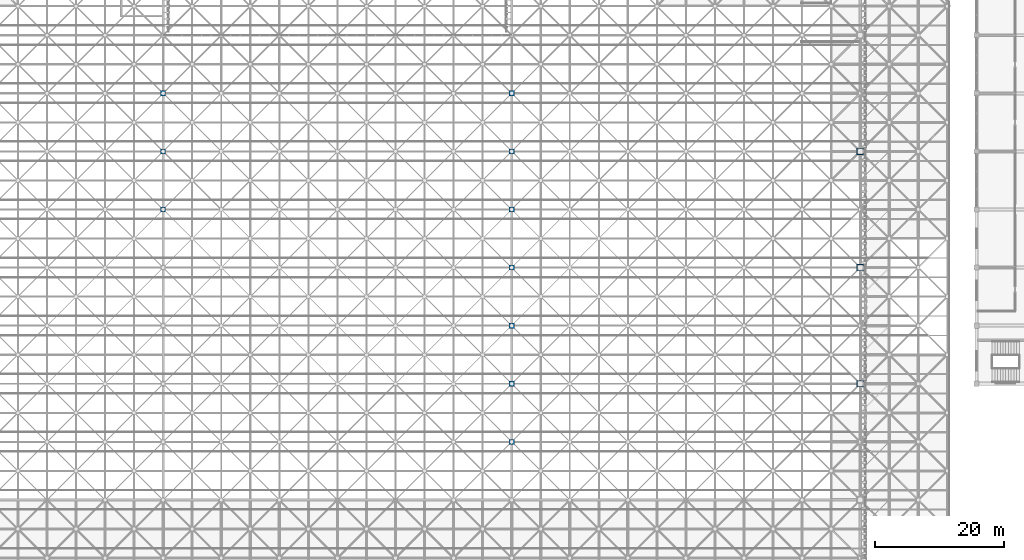
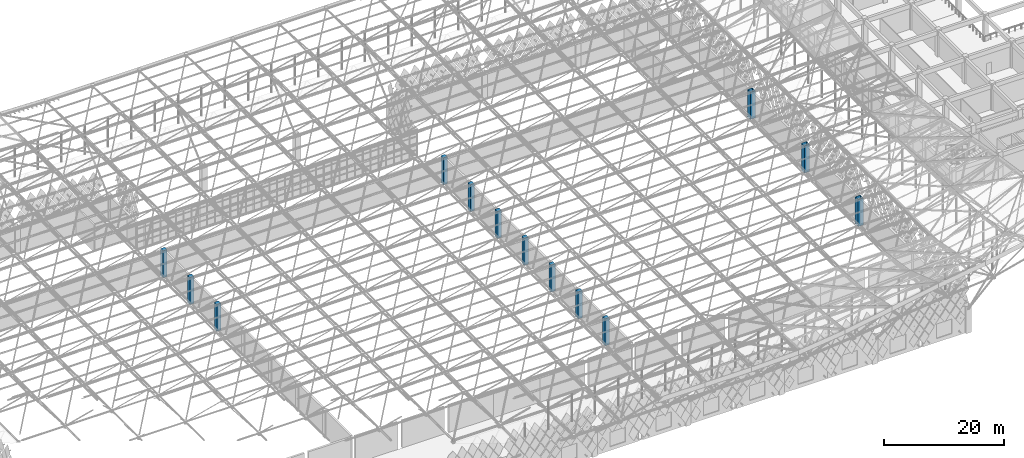
# One storey, part 6 of 437: 13 columns.
"""IFC4 building model written with IfcOpenShell, lengths in metres."""

from ifc_helpers import new_model, si_unit, direction, frame, origin, origin_2d, place, context, subcontext, project, spatial, rectangle, hollow_rectangle, extrude, material, material_profile, profile_set, type_object, element, save


model = new_model("IFC4")

# Units and contexts
model_context = context("Model", 3, precision=1e-05, world=origin(), true_north=direction((0.0, 1.0)))
body_context = subcontext(model_context, "Body", "Model", "MODEL_VIEW")
ifc_project = project(units=[si_unit("LENGTHUNIT", "METRE"), si_unit("AREAUNIT", "SQUARE_METRE"), si_unit("VOLUMEUNIT", "CUBIC_METRE"), si_unit("PLANEANGLEUNIT", "RADIAN"), si_unit("MASSUNIT", "GRAM", prefix="KILO")], contexts=[model_context])

# Site, building, storey
site_placement = place(None, origin())
site = spatial("IfcSite", under=ifc_project, at=site_placement, CompositionType="ELEMENT")
building_placement = place(site_placement, origin())
building = spatial("IfcBuilding", under=site, at=building_placement, Name="Opaline Strait Convention Centre", CompositionType="ELEMENT")
storey_placement = place(building_placement, frame((0.0, 0.0, 11.5)))
storey = spatial("IfcBuildingStorey", under=building, at=storey_placement, Name="L02", CompositionType="ELEMENT", Elevation=11.5)

# Columns
ifc_material_1 = material(Name="Steel Q355B", Category="steel")
ifc_material_profile_1 = material_profile(ifc_material_1, hollow_rectangle(XDim=1.0, YDim=1.0, WallThickness=0.031982421875, at=origin_2d()), Name="BOX 1000x1000x32")
ifc_profile_set_1 = profile_set([ifc_material_profile_1], Name="Steel Q355B")
column_type_1 = type_object("IfcColumnType", Name="CFT column BOX 1000x1000x32 C60 fill", PredefinedType="COLUMN", material=ifc_profile_set_1)
for number, where, z_axis, x_axis, name in (
    (1, (261.0, 90.0, 0.0), (0.0, 0.0, 1.0), (1.0, 0.0, 0.0), "Roof column XC-26"),
    (2, (261.0, 108.0, 0.0), (0.0, 0.0, 1.0), (1.0, 0.0, 0.0), "Roof column XC-27"),
    (3, (261.0, 126.0, 0.0), (0.0, 0.0, 1.0), (1.0, 0.0, 0.0), "Roof column XC-28"),
):
    element("IfcColumn", number, at=place(storey_placement, frame(where, z_axis=z_axis, x_axis=x_axis)), inside=storey, type_object=column_type_1, Name=name, ObjectType="XC1", PredefinedType="COLUMN", context=body_context, shape_type="SweptSolid", body=[
        extrude(hollow_rectangle(XDim=1.0, YDim=1.0, WallThickness=0.031982421875, at=origin_2d()), origin(), (0.0, 0.0, 1.0), 5.5),
    ])
ifc_material_2 = material(Name="Concrete C40", Category="concrete")
ifc_material_profile_2 = material_profile(ifc_material_2, rectangle(XDim=0.800048828125, YDim=0.800048828125, at=origin_2d()), Name="RC 800x800")
ifc_profile_set_2 = profile_set([ifc_material_profile_2], Name="Concrete C40")
column_type_2 = type_object("IfcColumnType", Name="RC column 800x800 C40", PredefinedType="COLUMN", material=ifc_profile_set_2)
for number, where, z_axis, x_axis, name in (
    (4, (153.0, 117.0, 0.0), (0.0, 0.0, 1.0), (1.0, 0.0, 0.0), "Fire wall pilaster"),
    (5, (153.0, 126.0, 0.0), (0.0, 0.0, 1.0), (1.0, 0.0, 0.0), "Fire wall pilaster"),
    (6, (153.0, 135.0, 0.0), (0.0, 0.0, 1.0), (1.0, 0.0, 0.0), "Fire wall pilaster"),
    (7, (207.0, 81.0, 0.0), (0.0, 0.0, 1.0), (1.0, 0.0, 0.0), "Fire wall pilaster"),
    (8, (207.0, 90.0, 0.0), (0.0, 0.0, 1.0), (1.0, 0.0, 0.0), "Fire wall pilaster"),
    (9, (207.0, 99.0, 0.0), (0.0, 0.0, 1.0), (1.0, 0.0, 0.0), "Fire wall pilaster"),
    (10, (207.0, 108.0, 0.0), (0.0, 0.0, 1.0), (1.0, 0.0, 0.0), "Fire wall pilaster"),
    (11, (207.0, 117.0, 0.0), (0.0, 0.0, 1.0), (1.0, 0.0, 0.0), "Fire wall pilaster"),
    (12, (207.0, 126.0, 0.0), (0.0, 0.0, 1.0), (1.0, 0.0, 0.0), "Fire wall pilaster"),
    (13, (207.0, 135.0, 0.0), (0.0, 0.0, 1.0), (1.0, 0.0, 0.0), "Fire wall pilaster"),
):
    element("IfcColumn", number, at=place(storey_placement, frame(where, z_axis=z_axis, x_axis=x_axis)), inside=storey, type_object=column_type_2, Name=name, ObjectType="XC2", PredefinedType="COLUMN", context=body_context, shape_type="SweptSolid", body=[
        extrude(rectangle(XDim=0.800048828125, YDim=0.800048828125, at=origin_2d()), origin(), (0.0, 0.0, 1.0), 5.5),
    ])

save(model, "model.ifc")
